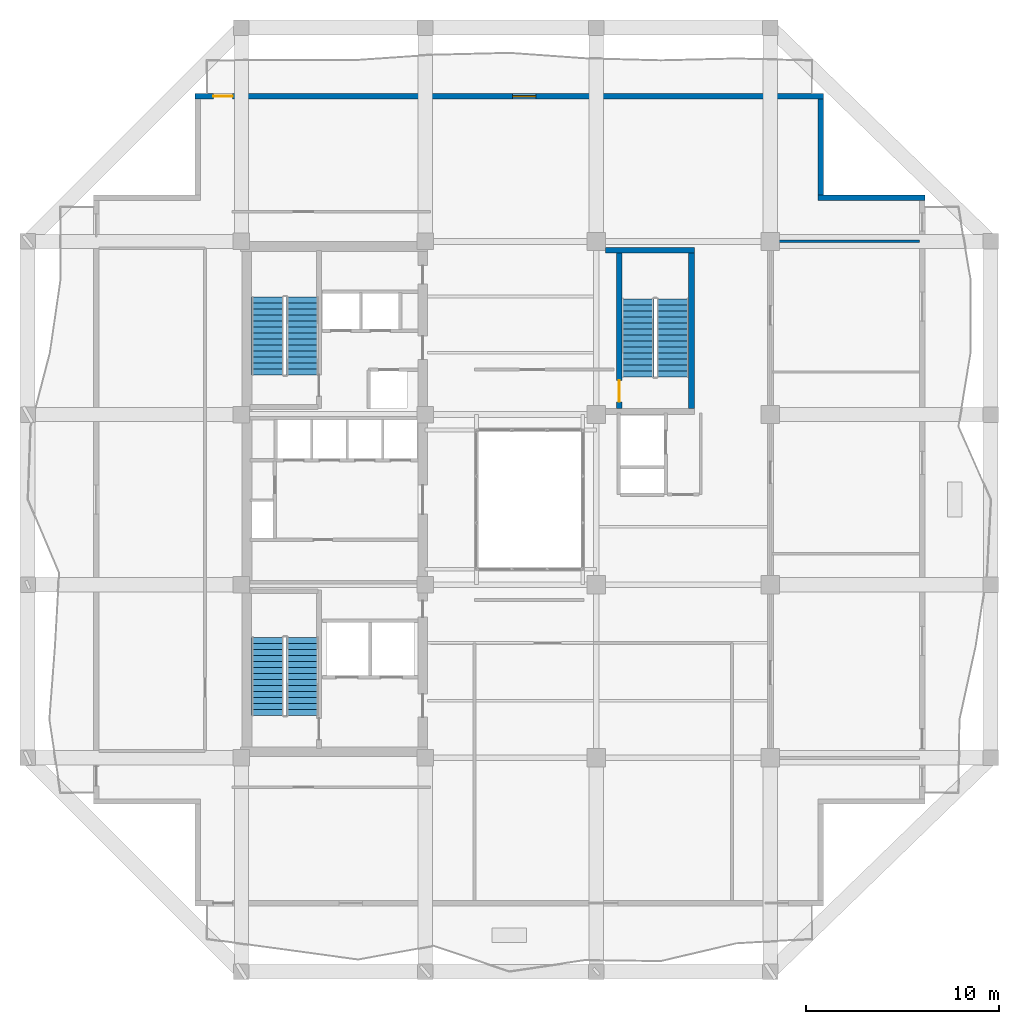
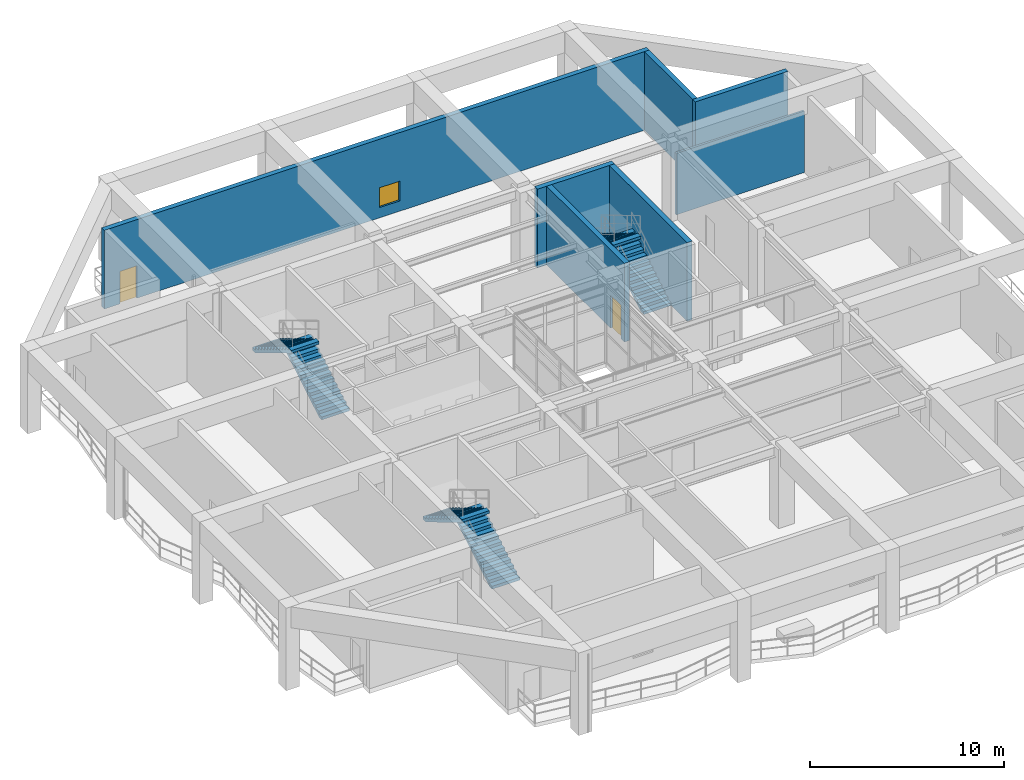
# One storey, part 8 of 13: 7 walls, 6 stair flights, 2 doors, 1 window, 3 openings, 3 elements without a shape of their own.
"""IFC4 building model written with IfcOpenShell, lengths in metres."""

from ifc_helpers import new_model, si_unit, direction, frame, frame_2d, origin, place, context, subcontext, project, spatial, polyline, rectangle, outline, extrude, material, layer, layer_set, type_object, element, fill, aggregate, save


model = new_model("IFC4")

# Units and contexts
model_context = context("Model", 3, precision=1e-05, world=origin(), true_north=direction((0.0, 1.0)))
body_context = subcontext(model_context, "Body", "Model", "MODEL_VIEW")
ifc_project = project(units=[si_unit("LENGTHUNIT", "METRE"), si_unit("AREAUNIT", "SQUARE_METRE"), si_unit("VOLUMEUNIT", "CUBIC_METRE"), si_unit("PLANEANGLEUNIT", "RADIAN"), si_unit("MASSUNIT", "GRAM", prefix="KILO")], contexts=[model_context])

# Site, building, storey
site_placement = place(None, origin())
site = spatial("IfcSite", under=ifc_project, at=site_placement, CompositionType="ELEMENT")
building_placement = place(site_placement, origin())
building = spatial("IfcBuilding", under=site, at=building_placement, Name="Kundavana Baori Tower", CompositionType="ELEMENT")
storey_placement = place(building_placement, frame((0.0, 0.0, 208.89990234375)))
storey = spatial("IfcBuildingStorey", under=building, at=storey_placement, Name="L51", CompositionType="ELEMENT", Elevation=208.89990234375)

# Walls
ifc_material_1 = material(Name="Red-Buff Dholpur Sandstone Cladding on Concrete C40/50", Category="masonry")
ifc_layer_1 = layer(ifc_material_1, 0.280029296875, Name="WL-EXT-SAND-280")
ifc_layer_set_1 = layer_set([ifc_layer_1], Name="Red-Buff Dholpur Sandstone Cladding on Concrete C40/50")
wall_type_1 = type_object("IfcWallType", Name="WL-EXT-SAND-280", PredefinedType="STANDARD", material=ifc_layer_set_1)
wall_1_placement = place(storey_placement, frame((50.800048828125, 44.2099609375, 0.0), z_axis=(0.0, 0.0, 1.0), x_axis=(-1.0, 0.0, 0.0)))
element("IfcWall", 1, at=wall_1_placement, inside=storey, type_object=wall_type_1, Name="L51 Exterior Insulated Facade Wall 05", PredefinedType="STANDARD", context=body_context, shape_type="SweptSolid", body=[
    extrude(rectangle(XDim=5.530029296875, YDim=0.280029296875, at=frame_2d((2.76513671875, 0.0))), origin(), (0.0, 0.0, 1.0), 4.960205078125),
])
wall_2_placement = place(storey_placement, frame((45.409912109375, 44.35009765625, 0.0), z_axis=(0.0, 0.0, 1.0), x_axis=(0.0, 1.0, 0.0)))
element("IfcWall", 2, at=wall_2_placement, inside=storey, type_object=wall_type_1, Name="L51 Exterior Insulated Facade Wall 06", PredefinedType="STANDARD", context=body_context, shape_type="SweptSolid", body=[
    extrude(rectangle(XDim=4.969970703125, YDim=0.280029296875, at=frame_2d((2.48486328125, 0.0))), origin(), (0.0, 0.0, 1.0), 4.960205078125),
])

# Wall, openings, door, window
wall_3_placement = place(storey_placement, frame((45.550048828125, 49.4599609375, 0.0), z_axis=(0.0, 0.0, 1.0), x_axis=(-1.0, 0.0, 0.0)))
wall_3 = element("IfcWall", 3, at=wall_3_placement, inside=storey, type_object=wall_type_1, Name="L51 Exterior Insulated Facade Wall 07", PredefinedType="STANDARD", context=body_context, shape_type="SweptSolid", body=[
    extrude(rectangle(XDim=32.5, YDim=0.280029296875, at=frame_2d((16.25, 0.0))), origin(), (0.0, 0.0, 1.0), 4.960205078125),
])
opening_1_placement = place(wall_3_placement, frame((30.550048828125, 0.0, 0.0)))
opening_1 = element("IfcOpeningElement", 4, at=opening_1_placement, cuts=wall_3, Name="Opening BD-1", PredefinedType="OPENING", context=body_context, shape_type="SweptSolid", body=[
    extrude(rectangle(XDim=1.0, YDim=2.050048828125, at=frame_2d((0.5, 1.02490234375))), frame((0.0, 0.14990234375, 0.0), z_axis=(0.0, -1.0, 0.0), x_axis=(1.0, 0.0, 0.0)), (0.0, 0.0, 1.0), 0.300048828125),
])
opening_2_placement = place(wall_3_placement, frame((14.875, 0.0, 0.64990234375)))
opening_2 = element("IfcOpeningElement", 5, at=opening_2_placement, cuts=wall_3, Name="Opening W-12", PredefinedType="OPENING", context=body_context, shape_type="SweptSolid", body=[
    extrude(rectangle(XDim=1.199951171875, YDim=1.25, at=frame_2d((0.60009765625, 0.625))), frame((0.0, 0.14990234375, 0.0), z_axis=(0.0, -1.0, 0.0), x_axis=(1.0, 0.0, 0.0)), (0.0, 0.0, 1.0), 0.300048828125),
])
ifc_material_2 = material(Name="Architectural Patinated Bronze Metalwork")
door_type_1 = type_object("IfcDoorType", Name="DR-EXT-LOG-1000", OperationType="NOTDEFINED", PredefinedType="DOOR", material=ifc_material_2)
door_1_placement = place(opening_1_placement, frame((1.0, 0.0, 0.0), z_axis=(0.0, 0.0, 1.0), x_axis=(-1.0, 0.0, 0.0)))
door_1 = element("IfcDoor", 6, at=door_1_placement, inside=storey, type_object=door_type_1, Name="L51 Loggia Balcony Access Door N", OperationType="SINGLE_SWING_LEFT", OverallHeight=2.050048828125, OverallWidth=1.0, PredefinedType="DOOR", context=body_context, shape_type="SweptSolid", body=[
    extrude(rectangle(XDim=1.0, YDim=2.050048828125, at=frame_2d((0.5, 1.02490234375))), frame((0.0, 0.02490234375, 0.0), z_axis=(0.0, -1.0, 0.0), x_axis=(1.0, 0.0, 0.0)), (0.0, 0.0, 1.0), 0.050048828125),
])
fill(opening_1, door_1)
ifc_material_3 = material(Name="Double-Glazed Solar-Control Low-E Insulated Glass", Category="glass")
window_type = type_object("IfcWindowType", Name="WIN-TRN-1200x1250", PartitioningType="SINGLE_PANEL", PredefinedType="WINDOW", material=ifc_material_3)
window_placement = place(opening_2_placement, origin())
window = element("IfcWindow", 7, at=window_placement, inside=storey, type_object=window_type, Name="L51 Recessed Loggia Window N-1", OverallHeight=1.25, OverallWidth=1.199951171875, PartitioningType="SINGLE_PANEL", PredefinedType="WINDOW", context=body_context, shape_type="SweptSolid", body=[
    extrude(rectangle(XDim=1.199951171875, YDim=1.25, at=frame_2d((0.60009765625, 0.625))), frame((0.0, 0.030029296875, 0.0), z_axis=(0.0, -1.0, 0.0), x_axis=(1.0, 0.0, 0.0)), (0.0, 0.0, 1.0), 0.06005859375),
])
fill(opening_2, window)

# Wall
ifc_material_4 = material(Name="Concrete C50/60", Category="concrete")
ifc_layer_2 = layer(ifc_material_4, 0.300048828125, Name="WL-ST3-300")
ifc_layer_set_2 = layer_set([ifc_layer_2], Name="Concrete C50/60")
wall_type_2 = type_object("IfcWallType", Name="WL-ST3-300", PredefinedType="SHEAR", material=ifc_layer_set_2)
wall_4_placement = place(storey_placement, frame((34.27490234375, 41.489990234375, 0.0), z_axis=(0.0, 0.0, 1.0), x_axis=(1.0, 0.0, 0.0)))
element("IfcWall", 8, at=wall_4_placement, inside=storey, type_object=wall_type_2, Name="L51 Stair ST3 North Shear Wall", PredefinedType="SHEAR", context=body_context, shape_type="SweptSolid", body=[
    extrude(rectangle(XDim=4.59521484375, YDim=0.300048828125, at=frame_2d((2.297607421875, 0.0))), origin(), (0.0, 0.0, 1.0), 4.960205078125),
])

# Wall, opening, door
wall_5_placement = place(storey_placement, frame((34.97998046875, 33.31005859375, 0.0), z_axis=(0.0, 0.0, 1.0), x_axis=(0.0, 1.0, 0.0)))
wall_5 = element("IfcWall", 9, at=wall_5_placement, inside=storey, type_object=wall_type_2, Name="L51 Stair ST3 West Shear Wall", PredefinedType="SHEAR", context=body_context, shape_type="SweptSolid", body=[
    extrude(rectangle(XDim=8.030029296875, YDim=0.300048828125, at=frame_2d((4.01513671875, 0.0))), origin(), (0.0, 0.0, 1.0), 4.960205078125),
])
opening_3_placement = place(wall_5_placement, frame((0.35009765625, 0.0, 0.0)))
opening_3 = element("IfcOpeningElement", 10, at=opening_3_placement, cuts=wall_5, Name="Opening FD-110", PredefinedType="OPENING", context=body_context, shape_type="SweptSolid", body=[
    extrude(rectangle(XDim=1.10009765625, YDim=2.10009765625, at=frame_2d((0.550048828125, 1.050048828125))), frame((0.0, 0.16015625, 0.0), z_axis=(0.0, -1.0, 0.0), x_axis=(1.0, 0.0, 0.0)), (0.0, 0.0, 1.0), 0.320068359375),
])
ifc_material_5 = material(Name="Galvanised Steel Fire-Rated Door Leaf", Category="steel")
door_type_2 = type_object("IfcDoorType", Name="DR-FD120-1100", OperationType="NOTDEFINED", PredefinedType="DOOR", material=ifc_material_5)
door_2_placement = place(opening_3_placement, origin())
door_2 = element("IfcDoor", 11, at=door_2_placement, inside=storey, type_object=door_type_2, Name="DR-L51-ST3-W", OperationType="SINGLE_SWING_LEFT", OverallHeight=2.10009765625, OverallWidth=1.10009765625, PredefinedType="DOOR", context=body_context, shape_type="SweptSolid", body=[
    extrude(rectangle(XDim=1.10009765625, YDim=2.10009765625, at=frame_2d((0.550048828125, 1.050048828125))), frame((0.0, 0.02490234375, 0.0), z_axis=(0.0, -1.0, 0.0), x_axis=(1.0, 0.0, 0.0)), (0.0, 0.0, 1.0), 0.050048828125),
])
fill(opening_3, door_2)

# Walls
wall_6_placement = place(storey_placement, frame((38.719970703125, 33.31005859375, 0.0), z_axis=(0.0, 0.0, 1.0), x_axis=(0.0, 1.0, 0.0)))
element("IfcWall", 12, at=wall_6_placement, inside=storey, type_object=wall_type_2, Name="L51 Stair ST3 East Shear Wall", PredefinedType="SHEAR", context=body_context, shape_type="SweptSolid", body=[
    extrude(rectangle(XDim=8.030029296875, YDim=0.300048828125, at=frame_2d((4.01513671875, 0.0))), origin(), (0.0, 0.0, 1.0), 4.960205078125),
])
ifc_material_6 = material(Name="Autoclaved Aerated Concrete Blockwork Masonry", Category="masonry")
ifc_layer_3 = layer(ifc_material_6, 0.125, Name="WL-WET-120")
ifc_layer_set_3 = layer_set([ifc_layer_3], Name="Autoclaved Aerated Concrete Blockwork Masonry")
wall_type_3 = type_object("IfcWallType", Name="WL-WET-120", PredefinedType="PLUMBINGWALL", material=ifc_layer_set_3)
wall_7_placement = place(storey_placement, frame((42.8798828125, 41.949951171875, 0.0), z_axis=(0.0, 0.0, 1.0), x_axis=(1.0, 0.0, 0.0)))
element("IfcWall", 13, at=wall_7_placement, inside=storey, type_object=wall_type_3, Name="WL-L51-SLEN", PredefinedType="PLUMBINGWALL", context=body_context, shape_type="SweptSolid", body=[
    extrude(rectangle(XDim=7.64013671875, YDim=0.125, at=frame_2d((3.820068359375, 0.0))), origin(), (0.0, 0.0, 1.0), 3.880126953125),
])

# Stair, stair flights
ifc_material_7 = material(Name="Concrete C40/50", Category="concrete")
stair_type = type_object("IfcStairType", Name="STR-DOG-1650", PredefinedType="HALF_TURN_STAIR", material=ifc_material_7)
stair_1_placement = place(storey_placement, origin())
stair_1 = element("IfcStair", 14, at=stair_1_placement, inside=storey, type_object=stair_type, Name="L51 Protected Exit Stair ST1", PredefinedType="HALF_TURN_STAIR")
ifc_material_8 = material(Name="Concrete C40/50", Category="concrete")
stair_flight_type = type_object("IfcStairFlightType", Name="SFL-RC-1650", PredefinedType="STRAIGHT", material=ifc_material_8)
stair_flight_1_placement = place(storey_placement, frame((18.614990234375, 17.449951171875, 0.0), z_axis=(0.0, 0.0, 1.0), x_axis=(0.0, 1.0, 0.0)))
stair_flight_1 = element("IfcStairFlight", 15, at=stair_flight_1_placement, type_object=stair_flight_type, Name="ST1 flight 1", NumberOfRisers=14, NumberOfTreads=13, PredefinedType="STRAIGHT", RiserHeight=0.185714286, TreadLength=0.31, context=body_context, shape_type="SweptSolid", body=[
    extrude(outline(polyline([(0.0, 0.0), (0.0, 0.185791015625), (0.31005859375, 0.185791015625), (0.31005859375, 0.371337890625), (0.6201171875, 0.371337890625), (0.6201171875, 0.55712890625), (0.929931640625, 0.55712890625), (0.929931640625, 0.742919921875), (1.239990234375, 0.742919921875), (1.239990234375, 0.928466796875), (1.550048828125, 0.928466796875), (1.550048828125, 1.1142578125), (1.860107421875, 1.1142578125), (1.860107421875, 1.300048828125), (2.169921875, 1.300048828125), (2.169921875, 1.485595703125), (2.47998046875, 1.485595703125), (2.47998046875, 1.67138671875), (2.7900390625, 1.67138671875), (2.7900390625, 1.857177734375), (3.10009765625, 1.857177734375), (3.10009765625, 2.04296875), (3.409912109375, 2.04296875), (3.409912109375, 2.228515625), (3.719970703125, 2.228515625), (3.719970703125, 2.414306640625), (4.030029296875, 2.414306640625), (4.030029296875, 2.60009765625), (4.030029296875, 2.239501953125), (0.291748046875, 0.0), (0.0, 0.0)])), frame((0.0, 0.824951171875, 0.0), z_axis=(0.0, -1.0, 0.0), x_axis=(1.0, 0.0, 0.0)), (0.0, 0.0, 1.0), 1.64990234375),
])
stair_flight_2_placement = place(storey_placement, frame((16.804931640625, 21.47998046875, 2.60009765625), z_axis=(0.0, 0.0, 1.0), x_axis=(0.0, -1.0, 0.0)))
stair_flight_2 = element("IfcStairFlight", 16, at=stair_flight_2_placement, type_object=stair_flight_type, Name="ST1 flight 2", NumberOfRisers=14, NumberOfTreads=13, PredefinedType="STRAIGHT", RiserHeight=0.185714286, TreadLength=0.31, context=body_context, shape_type="SweptSolid", body=[
    extrude(outline(polyline([(0.0, 0.0), (0.0, 0.185791015625), (0.31005859375, 0.185791015625), (0.31005859375, 0.371337890625), (0.6201171875, 0.371337890625), (0.6201171875, 0.55712890625), (0.929931640625, 0.55712890625), (0.929931640625, 0.742919921875), (1.239990234375, 0.742919921875), (1.239990234375, 0.928466796875), (1.550048828125, 0.928466796875), (1.550048828125, 1.1142578125), (1.860107421875, 1.1142578125), (1.860107421875, 1.300048828125), (2.169921875, 1.300048828125), (2.169921875, 1.485595703125), (2.47998046875, 1.485595703125), (2.47998046875, 1.67138671875), (2.7900390625, 1.67138671875), (2.7900390625, 1.857177734375), (3.10009765625, 1.857177734375), (3.10009765625, 2.04296875), (3.409912109375, 2.04296875), (3.409912109375, 2.228515625), (3.719970703125, 2.228515625), (3.719970703125, 2.414306640625), (4.030029296875, 2.414306640625), (4.030029296875, 2.60009765625), (4.030029296875, 2.239501953125), (0.291748046875, 0.0), (0.0, 0.0)])), frame((0.0, 0.824951171875, 0.0), z_axis=(0.0, -1.0, 0.0), x_axis=(1.0, 0.0, 0.0)), (0.0, 0.0, 1.0), 1.64990234375),
])
aggregate(stair_1, [stair_flight_1, stair_flight_2])

stair_2_placement = place(storey_placement, origin())
stair_2 = element("IfcStair", 17, at=stair_2_placement, inside=storey, type_object=stair_type, Name="L51 Protected Exit Stair ST2", PredefinedType="HALF_TURN_STAIR")
stair_flight_3_placement = place(storey_placement, frame((18.614990234375, 35.050048828125, 0.0), z_axis=(0.0, 0.0, 1.0), x_axis=(0.0, 1.0, 0.0)))
stair_flight_3 = element("IfcStairFlight", 18, at=stair_flight_3_placement, type_object=stair_flight_type, Name="ST2 flight 1", NumberOfRisers=14, NumberOfTreads=13, PredefinedType="STRAIGHT", RiserHeight=0.185714286, TreadLength=0.31, context=body_context, shape_type="SweptSolid", body=[
    extrude(outline(polyline([(0.0, 0.0), (0.0, 0.185791015625), (0.31005859375, 0.185791015625), (0.31005859375, 0.371337890625), (0.6201171875, 0.371337890625), (0.6201171875, 0.55712890625), (0.929931640625, 0.55712890625), (0.929931640625, 0.742919921875), (1.239990234375, 0.742919921875), (1.239990234375, 0.928466796875), (1.550048828125, 0.928466796875), (1.550048828125, 1.1142578125), (1.860107421875, 1.1142578125), (1.860107421875, 1.300048828125), (2.169921875, 1.300048828125), (2.169921875, 1.485595703125), (2.47998046875, 1.485595703125), (2.47998046875, 1.67138671875), (2.7900390625, 1.67138671875), (2.7900390625, 1.857177734375), (3.10009765625, 1.857177734375), (3.10009765625, 2.04296875), (3.409912109375, 2.04296875), (3.409912109375, 2.228515625), (3.719970703125, 2.228515625), (3.719970703125, 2.414306640625), (4.030029296875, 2.414306640625), (4.030029296875, 2.60009765625), (4.030029296875, 2.239501953125), (0.291748046875, 0.0), (0.0, 0.0)])), frame((0.0, 0.824951171875, 0.0), z_axis=(0.0, -1.0, 0.0), x_axis=(1.0, 0.0, 0.0)), (0.0, 0.0, 1.0), 1.64990234375),
])
stair_flight_4_placement = place(storey_placement, frame((16.804931640625, 39.080078125, 2.60009765625), z_axis=(0.0, 0.0, 1.0), x_axis=(0.0, -1.0, 0.0)))
stair_flight_4 = element("IfcStairFlight", 19, at=stair_flight_4_placement, type_object=stair_flight_type, Name="ST2 flight 2", NumberOfRisers=14, NumberOfTreads=13, PredefinedType="STRAIGHT", RiserHeight=0.185714286, TreadLength=0.31, context=body_context, shape_type="SweptSolid", body=[
    extrude(outline(polyline([(0.0, 0.0), (0.0, 0.185791015625), (0.31005859375, 0.185791015625), (0.31005859375, 0.371337890625), (0.6201171875, 0.371337890625), (0.6201171875, 0.55712890625), (0.929931640625, 0.55712890625), (0.929931640625, 0.742919921875), (1.239990234375, 0.742919921875), (1.239990234375, 0.928466796875), (1.550048828125, 0.928466796875), (1.550048828125, 1.1142578125), (1.860107421875, 1.1142578125), (1.860107421875, 1.300048828125), (2.169921875, 1.300048828125), (2.169921875, 1.485595703125), (2.47998046875, 1.485595703125), (2.47998046875, 1.67138671875), (2.7900390625, 1.67138671875), (2.7900390625, 1.857177734375), (3.10009765625, 1.857177734375), (3.10009765625, 2.04296875), (3.409912109375, 2.04296875), (3.409912109375, 2.228515625), (3.719970703125, 2.228515625), (3.719970703125, 2.414306640625), (4.030029296875, 2.414306640625), (4.030029296875, 2.60009765625), (4.030029296875, 2.239501953125), (0.291748046875, 0.0), (0.0, 0.0)])), frame((0.0, 0.824951171875, 0.0), z_axis=(0.0, -1.0, 0.0), x_axis=(1.0, 0.0, 0.0)), (0.0, 0.0, 1.0), 1.64990234375),
])
aggregate(stair_2, [stair_flight_3, stair_flight_4])

stair_3_placement = place(storey_placement, origin())
stair_3 = element("IfcStair", 20, at=stair_3_placement, inside=storey, type_object=stair_type, Name="L51 Protected Exit Stair ST3", PredefinedType="HALF_TURN_STAIR")
stair_flight_5_placement = place(storey_placement, frame((37.7548828125, 34.949951171875, 0.0), z_axis=(0.0, 0.0, 1.0), x_axis=(0.0, 1.0, 0.0)))
stair_flight_5 = element("IfcStairFlight", 21, at=stair_flight_5_placement, type_object=stair_flight_type, Name="ST3 flight 1", NumberOfRisers=14, NumberOfTreads=13, PredefinedType="STRAIGHT", RiserHeight=0.185714286, TreadLength=0.31, context=body_context, shape_type="SweptSolid", body=[
    extrude(outline(polyline([(0.0, 0.0), (0.0, 0.185791015625), (0.31005859375, 0.185791015625), (0.31005859375, 0.371337890625), (0.6201171875, 0.371337890625), (0.6201171875, 0.55712890625), (0.929931640625, 0.55712890625), (0.929931640625, 0.742919921875), (1.239990234375, 0.742919921875), (1.239990234375, 0.928466796875), (1.550048828125, 0.928466796875), (1.550048828125, 1.1142578125), (1.860107421875, 1.1142578125), (1.860107421875, 1.300048828125), (2.169921875, 1.300048828125), (2.169921875, 1.485595703125), (2.47998046875, 1.485595703125), (2.47998046875, 1.67138671875), (2.7900390625, 1.67138671875), (2.7900390625, 1.857177734375), (3.10009765625, 1.857177734375), (3.10009765625, 2.04296875), (3.409912109375, 2.04296875), (3.409912109375, 2.228515625), (3.719970703125, 2.228515625), (3.719970703125, 2.414306640625), (4.030029296875, 2.414306640625), (4.030029296875, 2.60009765625), (4.030029296875, 2.239501953125), (0.291748046875, 0.0), (0.0, 0.0)])), frame((0.0, 0.824951171875, 0.0), z_axis=(0.0, -1.0, 0.0), x_axis=(1.0, 0.0, 0.0)), (0.0, 0.0, 1.0), 1.64990234375),
])
stair_flight_6_placement = place(storey_placement, frame((35.945068359375, 38.97998046875, 2.60009765625), z_axis=(0.0, 0.0, 1.0), x_axis=(0.0, -1.0, 0.0)))
stair_flight_6 = element("IfcStairFlight", 22, at=stair_flight_6_placement, type_object=stair_flight_type, Name="ST3 flight 2", NumberOfRisers=14, NumberOfTreads=13, PredefinedType="STRAIGHT", RiserHeight=0.185714286, TreadLength=0.31, context=body_context, shape_type="SweptSolid", body=[
    extrude(outline(polyline([(0.0, 0.0), (0.0, 0.185791015625), (0.31005859375, 0.185791015625), (0.31005859375, 0.371337890625), (0.6201171875, 0.371337890625), (0.6201171875, 0.55712890625), (0.929931640625, 0.55712890625), (0.929931640625, 0.742919921875), (1.239990234375, 0.742919921875), (1.239990234375, 0.928466796875), (1.550048828125, 0.928466796875), (1.550048828125, 1.1142578125), (1.860107421875, 1.1142578125), (1.860107421875, 1.300048828125), (2.169921875, 1.300048828125), (2.169921875, 1.485595703125), (2.47998046875, 1.485595703125), (2.47998046875, 1.67138671875), (2.7900390625, 1.67138671875), (2.7900390625, 1.857177734375), (3.10009765625, 1.857177734375), (3.10009765625, 2.04296875), (3.409912109375, 2.04296875), (3.409912109375, 2.228515625), (3.719970703125, 2.228515625), (3.719970703125, 2.414306640625), (4.030029296875, 2.414306640625), (4.030029296875, 2.60009765625), (4.030029296875, 2.239501953125), (0.291748046875, 0.0), (0.0, 0.0)])), frame((0.0, 0.824951171875, 0.0), z_axis=(0.0, -1.0, 0.0), x_axis=(1.0, 0.0, 0.0)), (0.0, 0.0, 1.0), 1.64990234375),
])
aggregate(stair_3, [stair_flight_5, stair_flight_6])

save(model, "model.ifc")
